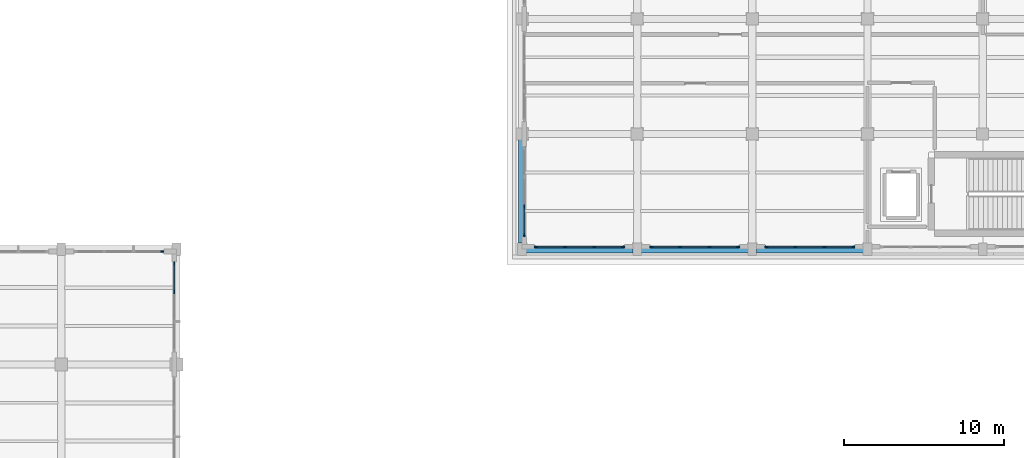
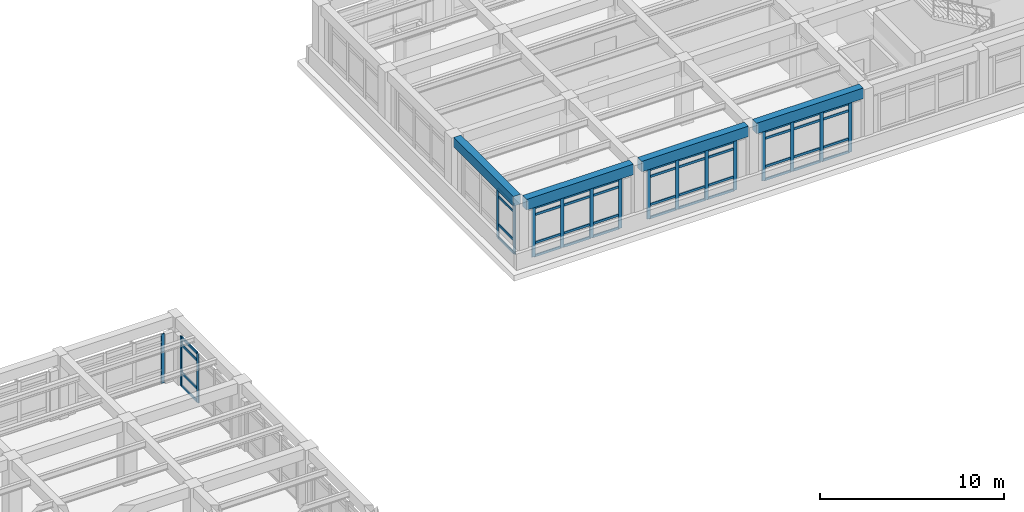
# One storey, part 22 of 67: 61 members, 4 beams, 6 elements without a shape of their own.
"""IFC4 building model written with IfcOpenShell, lengths in metres."""

from ifc_helpers import new_model, si_unit, direction, frame, origin, origin_2d, place, context, subcontext, project, spatial, rectangle, extrude, material, layer, layer_set, material_profile, profile_set, type_object, element, aggregate, save


model = new_model("IFC4")

# Units and contexts
model_context = context("Model", 3, precision=1e-05, world=origin(), true_north=direction((0.0, 1.0)))
body_context = subcontext(model_context, "Body", "Model", "MODEL_VIEW")
ifc_project = project(units=[si_unit("LENGTHUNIT", "METRE"), si_unit("AREAUNIT", "SQUARE_METRE"), si_unit("VOLUMEUNIT", "CUBIC_METRE"), si_unit("PLANEANGLEUNIT", "RADIAN"), si_unit("MASSUNIT", "GRAM", prefix="KILO")], contexts=[model_context])

# Site, building, storey
site_placement = place(None, origin())
site = spatial("IfcSite", under=ifc_project, at=site_placement, CompositionType="ELEMENT")
building_placement = place(site_placement, origin())
building = spatial("IfcBuilding", under=site, at=building_placement, Name="Solenvale Faculty of Natural Sciences", CompositionType="ELEMENT")
storey_placement = place(building_placement, frame((0.0, 0.0, 13.5)))
storey = spatial("IfcBuildingStorey", under=building, at=storey_placement, Name="L03", CompositionType="ELEMENT", Elevation=13.5)

# Beams
ifc_material_1 = material(Name="Concrete 40 MPa", Category="concrete")
ifc_material_profile_1 = material_profile(ifc_material_1, rectangle(XDim=0.449951171875, YDim=0.64990234375, at=origin_2d()), Name="RC-BM-450x650")
ifc_profile_set_1 = profile_set([ifc_material_profile_1], Name="Concrete 40 MPa")
beam_type_1 = type_object("IfcBeamType", Name="BM-RC-450x650", PredefinedType="BEAM", material=ifc_profile_set_1)
beam_placement = place(storey_placement, frame((79.199951171875, 93.97998046875, 3.89501953125), z_axis=(0.0, 1.0, 0.0), x_axis=(-1.0, 0.0, 0.0)))
element("IfcBeam", 1, at=beam_placement, inside=storey, type_object=beam_type_1, Name="L03 Y-Girder X79.2 (93.6..100.8)", PredefinedType="BEAM", context=body_context, shape_type="SweptSolid", body=[
    extrude(rectangle(XDim=0.449951171875, YDim=0.64990234375, at=origin_2d()), origin(), (0.0, 0.0, 1.0), 6.465087890625),
])
ifc_material_profile_2 = material_profile(ifc_material_1, rectangle(XDim=0.449951171875, YDim=0.699951171875, at=origin_2d()), Name="RC-BM-450x700")
ifc_profile_set_2 = profile_set([ifc_material_profile_2], Name="Concrete 40 MPa")
beam_type_2 = type_object("IfcBeamType", Name="BM-RC-450x700", PredefinedType="BEAM", material=ifc_profile_set_2)
for number, where, z_axis, x_axis, name in (
    (2, (79.455078125, 93.60009765625, 3.8701171875), (1.0, 0.0, 0.0), (0.0, 1.0, 0.0), "L03 X-Girder Y93.6 (79.2..86.4)"),
    (3, (86.655029296875, 93.60009765625, 3.8701171875), (1.0, 0.0, 0.0), (0.0, 1.0, 0.0), "L03 X-Girder Y93.6 (86.4..93.6)"),
    (4, (93.85498046875, 93.60009765625, 3.8701171875), (1.0, 0.0, 0.0), (0.0, 1.0, 0.0), "L03 X-Girder Y93.6 (93.6..100.8)"),
):
    element("IfcBeam", number, at=place(storey_placement, frame(where, z_axis=z_axis, x_axis=x_axis)), inside=storey, type_object=beam_type_2, Name=name, PredefinedType="BEAM", context=body_context, shape_type="SweptSolid", body=[
        extrude(rectangle(XDim=0.449951171875, YDim=0.699951171875, at=origin_2d()), origin(), (0.0, 0.0, 1.0), 6.68994140625),
    ])

# Curtain wall, members
ifc_material_2 = material(Name="Anodised bronze aluminium", Category="aluminium")
ifc_layer_1 = layer(ifc_material_2, 0.215087890625)
ifc_layer_set_1 = layer_set([ifc_layer_1], Name="Anodised bronze aluminium")
curtain_wall_type_1 = type_object("IfcCurtainWallType", Name="CW-ATR-UNIT", PredefinedType="USERDEFINED", material=ifc_layer_set_1)
curtain_wall_1_placement = place(storey_placement, origin())
curtain_wall_1 = element("IfcCurtainWall", 5, at=curtain_wall_1_placement, inside=storey, type_object=curtain_wall_type_1, Name="L03 Curtain Wall CW-L03-P1-E1-B8", ObjectType="UNITISED CURTAIN WALL", PredefinedType="USERDEFINED")
ifc_material_profile_3 = material_profile(ifc_material_2, rectangle(XDim=0.074951171875, YDim=0.2099609375, at=origin_2d()), Name="ALU-MUL-75x210")
ifc_profile_set_3 = profile_set([ifc_material_profile_3], Name="Anodised bronze aluminium")
member_type_1 = type_object("IfcMemberType", Name="CWM-ALU-75x210", PredefinedType="MULLION", material=ifc_profile_set_3)
member_1_placement = place(storey_placement, frame((57.45751953125, 90.916748046875, 0.0), z_axis=(0.0, 0.0, 1.0), x_axis=(-1.0, 0.0, 0.0)))
member_1 = element("IfcMember", 6, at=member_1_placement, type_object=member_type_1, Name="CW-01 mullion 3", PredefinedType="MULLION", context=body_context, shape_type="SweptSolid", body=[
    extrude(rectangle(XDim=0.074951171875, YDim=0.2099609375, at=origin_2d()), origin(), (0.0, 0.0, 1.0), 3.260009765625),
])
member_2_placement = place(storey_placement, frame((57.45751953125, 92.71240234375, 0.0), z_axis=(0.0, 0.0, 1.0), x_axis=(-1.0, 0.0, 0.0)))
member_2 = element("IfcMember", 7, at=member_2_placement, type_object=member_type_1, Name="CW-01 mullion 4", PredefinedType="MULLION", context=body_context, shape_type="SweptSolid", body=[
    extrude(rectangle(XDim=0.074951171875, YDim=0.2099609375, at=origin_2d()), origin(), (0.0, 0.0, 1.0), 3.260009765625),
])

# Curtain wall, member
curtain_wall_2_placement = place(storey_placement, origin())
curtain_wall_2 = element("IfcCurtainWall", 8, at=curtain_wall_2_placement, inside=storey, type_object=curtain_wall_type_1, Name="L03 Curtain Wall CW-L03-P1-E2-B1", ObjectType="UNITISED CURTAIN WALL", PredefinedType="USERDEFINED")
member_3_placement = place(storey_placement, frame((56.71240234375, 93.45751953125, 0.0), z_axis=(0.0, 0.0, 1.0), x_axis=(0.0, -1.0, 0.0)))
member_3 = element("IfcMember", 9, at=member_3_placement, type_object=member_type_1, Name="CW-01 mullion 1", PredefinedType="MULLION", context=body_context, shape_type="SweptSolid", body=[
    extrude(rectangle(XDim=0.074951171875, YDim=0.2099609375, at=origin_2d()), origin(), (0.0, 0.0, 1.0), 3.260009765625),
])
aggregate(curtain_wall_2, [member_3])

# Curtain wall, members
ifc_layer_2 = layer(ifc_material_2, 0.179931640625)
ifc_layer_set_2 = layer_set([ifc_layer_2], Name="Anodised bronze aluminium")
curtain_wall_type_2 = type_object("IfcCurtainWallType", Name="CW-TWR-MOD", PredefinedType="USERDEFINED", material=ifc_layer_set_2)
curtain_wall_3_placement = place(storey_placement, origin())
curtain_wall_3 = element("IfcCurtainWall", 10, at=curtain_wall_3_placement, inside=storey, type_object=curtain_wall_type_2, Name="L03 Curtain Wall CW-L03-P3-E5-B3", ObjectType="UNITISED CURTAIN WALL", PredefinedType="USERDEFINED")
member_4_placement = place(storey_placement, frame((79.342529296875, 96.283447265625, 0.0), z_axis=(0.0, 0.0, 1.0), x_axis=(1.0, 0.0, 0.0)))
member_4 = element("IfcMember", 11, at=member_4_placement, type_object=member_type_1, Name="CW-04 mullion 3", PredefinedType="MULLION", context=body_context, shape_type="SweptSolid", body=[
    extrude(rectangle(XDim=0.074951171875, YDim=0.2099609375, at=origin_2d()), origin(), (0.0, 0.0, 1.0), 3.260009765625),
])
member_5_placement = place(storey_placement, frame((79.342529296875, 94.487548828125, 0.0), z_axis=(0.0, 0.0, 1.0), x_axis=(1.0, 0.0, 0.0)))
member_5 = element("IfcMember", 12, at=member_5_placement, type_object=member_type_1, Name="CW-04 mullion 4", PredefinedType="MULLION", context=body_context, shape_type="SweptSolid", body=[
    extrude(rectangle(XDim=0.074951171875, YDim=0.2099609375, at=origin_2d()), origin(), (0.0, 0.0, 1.0), 3.260009765625),
])

curtain_wall_4_placement = place(storey_placement, origin())
curtain_wall_4 = element("IfcCurtainWall", 13, at=curtain_wall_4_placement, inside=storey, type_object=curtain_wall_type_2, Name="L03 Curtain Wall CW-L03-P3-E6-B1", ObjectType="UNITISED CURTAIN WALL", PredefinedType="USERDEFINED")
member_6_placement = place(storey_placement, frame((80.08740234375, 93.742431640625, 0.0), z_axis=(0.0, 0.0, 1.0), x_axis=(0.0, 1.0, 0.0)))
member_6 = element("IfcMember", 14, at=member_6_placement, type_object=member_type_1, Name="CW-04 mullion 1", PredefinedType="MULLION", context=body_context, shape_type="SweptSolid", body=[
    extrude(rectangle(XDim=0.074951171875, YDim=0.2099609375, at=origin_2d()), origin(), (0.0, 0.0, 1.0), 3.260009765625),
])
member_7_placement = place(storey_placement, frame((81.88330078125, 93.742431640625, 0.0), z_axis=(0.0, 0.0, 1.0), x_axis=(0.0, 1.0, 0.0)))
member_7 = element("IfcMember", 15, at=member_7_placement, type_object=member_type_1, Name="CW-04 mullion 2", PredefinedType="MULLION", context=body_context, shape_type="SweptSolid", body=[
    extrude(rectangle(XDim=0.074951171875, YDim=0.2099609375, at=origin_2d()), origin(), (0.0, 0.0, 1.0), 3.260009765625),
])
member_8_placement = place(storey_placement, frame((83.716552734375, 93.742431640625, 0.0), z_axis=(0.0, 0.0, 1.0), x_axis=(0.0, 1.0, 0.0)))
member_8 = element("IfcMember", 16, at=member_8_placement, type_object=member_type_1, Name="CW-04 mullion 3", PredefinedType="MULLION", context=body_context, shape_type="SweptSolid", body=[
    extrude(rectangle(XDim=0.074951171875, YDim=0.2099609375, at=origin_2d()), origin(), (0.0, 0.0, 1.0), 3.260009765625),
])
member_9_placement = place(storey_placement, frame((85.512451171875, 93.742431640625, 0.0), z_axis=(0.0, 0.0, 1.0), x_axis=(0.0, 1.0, 0.0)))
member_9 = element("IfcMember", 17, at=member_9_placement, type_object=member_type_1, Name="CW-04 mullion 4", PredefinedType="MULLION", context=body_context, shape_type="SweptSolid", body=[
    extrude(rectangle(XDim=0.074951171875, YDim=0.2099609375, at=origin_2d()), origin(), (0.0, 0.0, 1.0), 3.260009765625),
])

curtain_wall_5_placement = place(storey_placement, origin())
curtain_wall_5 = element("IfcCurtainWall", 18, at=curtain_wall_5_placement, inside=storey, type_object=curtain_wall_type_2, Name="L03 Curtain Wall CW-L03-P3-E6-B2", ObjectType="UNITISED CURTAIN WALL", PredefinedType="USERDEFINED")
member_10_placement = place(storey_placement, frame((87.28759765625, 93.742431640625, 0.0), z_axis=(0.0, 0.0, 1.0), x_axis=(0.0, 1.0, 0.0)))
member_10 = element("IfcMember", 19, at=member_10_placement, type_object=member_type_1, Name="CW-04 mullion 1", PredefinedType="MULLION", context=body_context, shape_type="SweptSolid", body=[
    extrude(rectangle(XDim=0.074951171875, YDim=0.2099609375, at=origin_2d()), origin(), (0.0, 0.0, 1.0), 3.260009765625),
])
member_11_placement = place(storey_placement, frame((89.083251953125, 93.742431640625, 0.0), z_axis=(0.0, 0.0, 1.0), x_axis=(0.0, 1.0, 0.0)))
member_11 = element("IfcMember", 20, at=member_11_placement, type_object=member_type_1, Name="CW-04 mullion 2", PredefinedType="MULLION", context=body_context, shape_type="SweptSolid", body=[
    extrude(rectangle(XDim=0.074951171875, YDim=0.2099609375, at=origin_2d()), origin(), (0.0, 0.0, 1.0), 3.260009765625),
])
member_12_placement = place(storey_placement, frame((90.916748046875, 93.742431640625, 0.0), z_axis=(0.0, 0.0, 1.0), x_axis=(0.0, 1.0, 0.0)))
member_12 = element("IfcMember", 21, at=member_12_placement, type_object=member_type_1, Name="CW-04 mullion 3", PredefinedType="MULLION", context=body_context, shape_type="SweptSolid", body=[
    extrude(rectangle(XDim=0.074951171875, YDim=0.2099609375, at=origin_2d()), origin(), (0.0, 0.0, 1.0), 3.260009765625),
])
member_13_placement = place(storey_placement, frame((92.71240234375, 93.742431640625, 0.0), z_axis=(0.0, 0.0, 1.0), x_axis=(0.0, 1.0, 0.0)))
member_13 = element("IfcMember", 22, at=member_13_placement, type_object=member_type_1, Name="CW-04 mullion 4", PredefinedType="MULLION", context=body_context, shape_type="SweptSolid", body=[
    extrude(rectangle(XDim=0.074951171875, YDim=0.2099609375, at=origin_2d()), origin(), (0.0, 0.0, 1.0), 3.260009765625),
])

curtain_wall_6_placement = place(storey_placement, origin())
curtain_wall_6 = element("IfcCurtainWall", 23, at=curtain_wall_6_placement, inside=storey, type_object=curtain_wall_type_2, Name="L03 Curtain Wall CW-L03-P3-E6-B3", ObjectType="UNITISED CURTAIN WALL", PredefinedType="USERDEFINED")
member_14_placement = place(storey_placement, frame((94.487548828125, 93.742431640625, 0.0), z_axis=(0.0, 0.0, 1.0), x_axis=(0.0, 1.0, 0.0)))
member_14 = element("IfcMember", 24, at=member_14_placement, type_object=member_type_1, Name="CW-04 mullion 1", PredefinedType="MULLION", context=body_context, shape_type="SweptSolid", body=[
    extrude(rectangle(XDim=0.074951171875, YDim=0.2099609375, at=origin_2d()), origin(), (0.0, 0.0, 1.0), 3.260009765625),
])
member_15_placement = place(storey_placement, frame((96.283447265625, 93.742431640625, 0.0), z_axis=(0.0, 0.0, 1.0), x_axis=(0.0, 1.0, 0.0)))
member_15 = element("IfcMember", 25, at=member_15_placement, type_object=member_type_1, Name="CW-04 mullion 2", PredefinedType="MULLION", context=body_context, shape_type="SweptSolid", body=[
    extrude(rectangle(XDim=0.074951171875, YDim=0.2099609375, at=origin_2d()), origin(), (0.0, 0.0, 1.0), 3.260009765625),
])
member_16_placement = place(storey_placement, frame((98.11669921875, 93.742431640625, 0.0), z_axis=(0.0, 0.0, 1.0), x_axis=(0.0, 1.0, 0.0)))
member_16 = element("IfcMember", 26, at=member_16_placement, type_object=member_type_1, Name="CW-04 mullion 3", PredefinedType="MULLION", context=body_context, shape_type="SweptSolid", body=[
    extrude(rectangle(XDim=0.074951171875, YDim=0.2099609375, at=origin_2d()), origin(), (0.0, 0.0, 1.0), 3.260009765625),
])
member_17_placement = place(storey_placement, frame((99.91259765625, 93.742431640625, 0.0), z_axis=(0.0, 0.0, 1.0), x_axis=(0.0, 1.0, 0.0)))
member_17 = element("IfcMember", 27, at=member_17_placement, type_object=member_type_1, Name="CW-04 mullion 4", PredefinedType="MULLION", context=body_context, shape_type="SweptSolid", body=[
    extrude(rectangle(XDim=0.074951171875, YDim=0.2099609375, at=origin_2d()), origin(), (0.0, 0.0, 1.0), 3.260009765625),
])

# Member
ifc_material_profile_4 = material_profile(ifc_material_2, rectangle(XDim=0.074951171875, YDim=0.155029296875, at=origin_2d()), Name="ALU-TRN-75x155")
ifc_profile_set_4 = profile_set([ifc_material_profile_4], Name="Anodised bronze aluminium")
member_type_2 = type_object("IfcMemberType", Name="CWT-ALU-75x155", PredefinedType="USERDEFINED", material=ifc_profile_set_4)
member_18_placement = place(storey_placement, frame((57.45751953125, 90.9541015625, 0.03759765625), z_axis=(0.0, 1.0, 0.0), x_axis=(-1.0, 0.0, 0.0)))
member_18 = element("IfcMember", 28, at=member_18_placement, type_object=member_type_2, Name="CW-01 transom 3.1", ObjectType="TRANSOM", PredefinedType="USERDEFINED", context=body_context, shape_type="SweptSolid", body=[
    extrude(rectangle(XDim=0.074951171875, YDim=0.155029296875, at=origin_2d()), origin(), (0.0, 0.0, 1.0), 1.720947265625),
])

member_19_placement = place(storey_placement, frame((57.45751953125, 90.9541015625, 0.89990234375), z_axis=(0.0, 1.0, 0.0), x_axis=(-1.0, 0.0, 0.0)))
member_19 = element("IfcMember", 29, at=member_19_placement, type_object=member_type_2, Name="CW-01 transom 3.2", ObjectType="TRANSOM", PredefinedType="USERDEFINED", context=body_context, shape_type="SweptSolid", body=[
    extrude(rectangle(XDim=0.074951171875, YDim=0.155029296875, at=origin_2d()), origin(), (0.0, 0.0, 1.0), 1.720947265625),
])

member_20_placement = place(storey_placement, frame((57.45751953125, 90.9541015625, 2.760009765625), z_axis=(0.0, 1.0, 0.0), x_axis=(-1.0, 0.0, 0.0)))
member_20 = element("IfcMember", 30, at=member_20_placement, type_object=member_type_2, Name="CW-01 transom 3.3", ObjectType="TRANSOM", PredefinedType="USERDEFINED", context=body_context, shape_type="SweptSolid", body=[
    extrude(rectangle(XDim=0.074951171875, YDim=0.155029296875, at=origin_2d()), origin(), (0.0, 0.0, 1.0), 1.720947265625),
])

member_21_placement = place(storey_placement, frame((57.45751953125, 90.9541015625, 3.222412109375), z_axis=(0.0, 1.0, 0.0), x_axis=(-1.0, 0.0, 0.0)))
member_21 = element("IfcMember", 31, at=member_21_placement, type_object=member_type_2, Name="CW-01 transom 3.4", ObjectType="TRANSOM", PredefinedType="USERDEFINED", context=body_context, shape_type="SweptSolid", body=[
    extrude(rectangle(XDim=0.074951171875, YDim=0.155029296875, at=origin_2d()), origin(), (0.0, 0.0, 1.0), 1.720947265625),
])

aggregate(curtain_wall_1, [member_1, member_2, member_18, member_19, member_20, member_21])

member_22_placement = place(storey_placement, frame((79.342529296875, 96.245849609375, 0.03759765625), z_axis=(0.0, -1.0, 0.0), x_axis=(1.0, 0.0, 0.0)))
member_22 = element("IfcMember", 32, at=member_22_placement, type_object=member_type_2, Name="CW-04 transom 3.1", ObjectType="TRANSOM", PredefinedType="USERDEFINED", context=body_context, shape_type="SweptSolid", body=[
    extrude(rectangle(XDim=0.074951171875, YDim=0.155029296875, at=origin_2d()), origin(), (0.0, 0.0, 1.0), 1.720947265625),
])

member_23_placement = place(storey_placement, frame((79.342529296875, 96.245849609375, 0.89990234375), z_axis=(0.0, -1.0, 0.0), x_axis=(1.0, 0.0, 0.0)))
member_23 = element("IfcMember", 33, at=member_23_placement, type_object=member_type_2, Name="CW-04 transom 3.2", ObjectType="TRANSOM", PredefinedType="USERDEFINED", context=body_context, shape_type="SweptSolid", body=[
    extrude(rectangle(XDim=0.074951171875, YDim=0.155029296875, at=origin_2d()), origin(), (0.0, 0.0, 1.0), 1.720947265625),
])

member_24_placement = place(storey_placement, frame((79.342529296875, 96.245849609375, 2.760009765625), z_axis=(0.0, -1.0, 0.0), x_axis=(1.0, 0.0, 0.0)))
member_24 = element("IfcMember", 34, at=member_24_placement, type_object=member_type_2, Name="CW-04 transom 3.3", ObjectType="TRANSOM", PredefinedType="USERDEFINED", context=body_context, shape_type="SweptSolid", body=[
    extrude(rectangle(XDim=0.074951171875, YDim=0.155029296875, at=origin_2d()), origin(), (0.0, 0.0, 1.0), 1.720947265625),
])

member_25_placement = place(storey_placement, frame((79.342529296875, 96.245849609375, 3.222412109375), z_axis=(0.0, -1.0, 0.0), x_axis=(1.0, 0.0, 0.0)))
member_25 = element("IfcMember", 35, at=member_25_placement, type_object=member_type_2, Name="CW-04 transom 3.4", ObjectType="TRANSOM", PredefinedType="USERDEFINED", context=body_context, shape_type="SweptSolid", body=[
    extrude(rectangle(XDim=0.074951171875, YDim=0.155029296875, at=origin_2d()), origin(), (0.0, 0.0, 1.0), 1.720947265625),
])

aggregate(curtain_wall_3, [member_4, member_5, member_22, member_23, member_24, member_25])

member_26_placement = place(storey_placement, frame((80.125, 93.742431640625, 0.03759765625), z_axis=(1.0, 0.0, 0.0), x_axis=(0.0, 1.0, 0.0)))
member_26 = element("IfcMember", 36, at=member_26_placement, type_object=member_type_2, Name="CW-04 transom 1.1", ObjectType="TRANSOM", PredefinedType="USERDEFINED", context=body_context, shape_type="SweptSolid", body=[
    extrude(rectangle(XDim=0.074951171875, YDim=0.155029296875, at=origin_2d()), origin(), (0.0, 0.0, 1.0), 1.720947265625),
])

member_27_placement = place(storey_placement, frame((80.125, 93.742431640625, 0.89990234375), z_axis=(1.0, 0.0, 0.0), x_axis=(0.0, 1.0, 0.0)))
member_27 = element("IfcMember", 37, at=member_27_placement, type_object=member_type_2, Name="CW-04 transom 1.2", ObjectType="TRANSOM", PredefinedType="USERDEFINED", context=body_context, shape_type="SweptSolid", body=[
    extrude(rectangle(XDim=0.074951171875, YDim=0.155029296875, at=origin_2d()), origin(), (0.0, 0.0, 1.0), 1.720947265625),
])

member_28_placement = place(storey_placement, frame((80.125, 93.742431640625, 2.760009765625), z_axis=(1.0, 0.0, 0.0), x_axis=(0.0, 1.0, 0.0)))
member_28 = element("IfcMember", 38, at=member_28_placement, type_object=member_type_2, Name="CW-04 transom 1.3", ObjectType="TRANSOM", PredefinedType="USERDEFINED", context=body_context, shape_type="SweptSolid", body=[
    extrude(rectangle(XDim=0.074951171875, YDim=0.155029296875, at=origin_2d()), origin(), (0.0, 0.0, 1.0), 1.720947265625),
])

member_29_placement = place(storey_placement, frame((80.125, 93.742431640625, 3.222412109375), z_axis=(1.0, 0.0, 0.0), x_axis=(0.0, 1.0, 0.0)))
member_29 = element("IfcMember", 39, at=member_29_placement, type_object=member_type_2, Name="CW-04 transom 1.4", ObjectType="TRANSOM", PredefinedType="USERDEFINED", context=body_context, shape_type="SweptSolid", body=[
    extrude(rectangle(XDim=0.074951171875, YDim=0.155029296875, at=origin_2d()), origin(), (0.0, 0.0, 1.0), 1.720947265625),
])

member_30_placement = place(storey_placement, frame((81.9208984375, 93.742431640625, 0.03759765625), z_axis=(1.0, 0.0, 0.0), x_axis=(0.0, 1.0, 0.0)))
member_30 = element("IfcMember", 40, at=member_30_placement, type_object=member_type_2, Name="CW-04 transom 2.1", ObjectType="TRANSOM", PredefinedType="USERDEFINED", context=body_context, shape_type="SweptSolid", body=[
    extrude(rectangle(XDim=0.074951171875, YDim=0.155029296875, at=origin_2d()), origin(), (0.0, 0.0, 1.0), 1.75830078125),
])

member_31_placement = place(storey_placement, frame((81.9208984375, 93.742431640625, 0.89990234375), z_axis=(1.0, 0.0, 0.0), x_axis=(0.0, 1.0, 0.0)))
member_31 = element("IfcMember", 41, at=member_31_placement, type_object=member_type_2, Name="CW-04 transom 2.2", ObjectType="TRANSOM", PredefinedType="USERDEFINED", context=body_context, shape_type="SweptSolid", body=[
    extrude(rectangle(XDim=0.074951171875, YDim=0.155029296875, at=origin_2d()), origin(), (0.0, 0.0, 1.0), 1.75830078125),
])

member_32_placement = place(storey_placement, frame((81.9208984375, 93.742431640625, 2.760009765625), z_axis=(1.0, 0.0, 0.0), x_axis=(0.0, 1.0, 0.0)))
member_32 = element("IfcMember", 42, at=member_32_placement, type_object=member_type_2, Name="CW-04 transom 2.3", ObjectType="TRANSOM", PredefinedType="USERDEFINED", context=body_context, shape_type="SweptSolid", body=[
    extrude(rectangle(XDim=0.074951171875, YDim=0.155029296875, at=origin_2d()), origin(), (0.0, 0.0, 1.0), 1.75830078125),
])

member_33_placement = place(storey_placement, frame((81.9208984375, 93.742431640625, 3.222412109375), z_axis=(1.0, 0.0, 0.0), x_axis=(0.0, 1.0, 0.0)))
member_33 = element("IfcMember", 43, at=member_33_placement, type_object=member_type_2, Name="CW-04 transom 2.4", ObjectType="TRANSOM", PredefinedType="USERDEFINED", context=body_context, shape_type="SweptSolid", body=[
    extrude(rectangle(XDim=0.074951171875, YDim=0.155029296875, at=origin_2d()), origin(), (0.0, 0.0, 1.0), 1.75830078125),
])

member_34_placement = place(storey_placement, frame((83.754150390625, 93.742431640625, 0.03759765625), z_axis=(1.0, 0.0, 0.0), x_axis=(0.0, 1.0, 0.0)))
member_34 = element("IfcMember", 44, at=member_34_placement, type_object=member_type_2, Name="CW-04 transom 3.1", ObjectType="TRANSOM", PredefinedType="USERDEFINED", context=body_context, shape_type="SweptSolid", body=[
    extrude(rectangle(XDim=0.074951171875, YDim=0.155029296875, at=origin_2d()), origin(), (0.0, 0.0, 1.0), 1.720947265625),
])

member_35_placement = place(storey_placement, frame((83.754150390625, 93.742431640625, 0.89990234375), z_axis=(1.0, 0.0, 0.0), x_axis=(0.0, 1.0, 0.0)))
member_35 = element("IfcMember", 45, at=member_35_placement, type_object=member_type_2, Name="CW-04 transom 3.2", ObjectType="TRANSOM", PredefinedType="USERDEFINED", context=body_context, shape_type="SweptSolid", body=[
    extrude(rectangle(XDim=0.074951171875, YDim=0.155029296875, at=origin_2d()), origin(), (0.0, 0.0, 1.0), 1.720947265625),
])

member_36_placement = place(storey_placement, frame((83.754150390625, 93.742431640625, 2.760009765625), z_axis=(1.0, 0.0, 0.0), x_axis=(0.0, 1.0, 0.0)))
member_36 = element("IfcMember", 46, at=member_36_placement, type_object=member_type_2, Name="CW-04 transom 3.3", ObjectType="TRANSOM", PredefinedType="USERDEFINED", context=body_context, shape_type="SweptSolid", body=[
    extrude(rectangle(XDim=0.074951171875, YDim=0.155029296875, at=origin_2d()), origin(), (0.0, 0.0, 1.0), 1.720947265625),
])

member_37_placement = place(storey_placement, frame((83.754150390625, 93.742431640625, 3.222412109375), z_axis=(1.0, 0.0, 0.0), x_axis=(0.0, 1.0, 0.0)))
member_37 = element("IfcMember", 47, at=member_37_placement, type_object=member_type_2, Name="CW-04 transom 3.4", ObjectType="TRANSOM", PredefinedType="USERDEFINED", context=body_context, shape_type="SweptSolid", body=[
    extrude(rectangle(XDim=0.074951171875, YDim=0.155029296875, at=origin_2d()), origin(), (0.0, 0.0, 1.0), 1.720947265625),
])

aggregate(curtain_wall_4, [member_6, member_7, member_8, member_9, member_26, member_27, member_28, member_29, member_30, member_31, member_32, member_33, member_34, member_35, member_36, member_37])

member_38_placement = place(storey_placement, frame((87.324951171875, 93.742431640625, 0.03759765625), z_axis=(1.0, 0.0, 0.0), x_axis=(0.0, 1.0, 0.0)))
member_38 = element("IfcMember", 48, at=member_38_placement, type_object=member_type_2, Name="CW-04 transom 1.1", ObjectType="TRANSOM", PredefinedType="USERDEFINED", context=body_context, shape_type="SweptSolid", body=[
    extrude(rectangle(XDim=0.074951171875, YDim=0.155029296875, at=origin_2d()), origin(), (0.0, 0.0, 1.0), 1.720947265625),
])

member_39_placement = place(storey_placement, frame((87.324951171875, 93.742431640625, 0.89990234375), z_axis=(1.0, 0.0, 0.0), x_axis=(0.0, 1.0, 0.0)))
member_39 = element("IfcMember", 49, at=member_39_placement, type_object=member_type_2, Name="CW-04 transom 1.2", ObjectType="TRANSOM", PredefinedType="USERDEFINED", context=body_context, shape_type="SweptSolid", body=[
    extrude(rectangle(XDim=0.074951171875, YDim=0.155029296875, at=origin_2d()), origin(), (0.0, 0.0, 1.0), 1.720947265625),
])

member_40_placement = place(storey_placement, frame((87.324951171875, 93.742431640625, 2.760009765625), z_axis=(1.0, 0.0, 0.0), x_axis=(0.0, 1.0, 0.0)))
member_40 = element("IfcMember", 50, at=member_40_placement, type_object=member_type_2, Name="CW-04 transom 1.3", ObjectType="TRANSOM", PredefinedType="USERDEFINED", context=body_context, shape_type="SweptSolid", body=[
    extrude(rectangle(XDim=0.074951171875, YDim=0.155029296875, at=origin_2d()), origin(), (0.0, 0.0, 1.0), 1.720947265625),
])

member_41_placement = place(storey_placement, frame((87.324951171875, 93.742431640625, 3.222412109375), z_axis=(1.0, 0.0, 0.0), x_axis=(0.0, 1.0, 0.0)))
member_41 = element("IfcMember", 51, at=member_41_placement, type_object=member_type_2, Name="CW-04 transom 1.4", ObjectType="TRANSOM", PredefinedType="USERDEFINED", context=body_context, shape_type="SweptSolid", body=[
    extrude(rectangle(XDim=0.074951171875, YDim=0.155029296875, at=origin_2d()), origin(), (0.0, 0.0, 1.0), 1.720947265625),
])

member_42_placement = place(storey_placement, frame((89.120849609375, 93.742431640625, 0.03759765625), z_axis=(1.0, 0.0, 0.0), x_axis=(0.0, 1.0, 0.0)))
member_42 = element("IfcMember", 52, at=member_42_placement, type_object=member_type_2, Name="CW-04 transom 2.1", ObjectType="TRANSOM", PredefinedType="USERDEFINED", context=body_context, shape_type="SweptSolid", body=[
    extrude(rectangle(XDim=0.074951171875, YDim=0.155029296875, at=origin_2d()), origin(), (0.0, 0.0, 1.0), 1.75830078125),
])

member_43_placement = place(storey_placement, frame((89.120849609375, 93.742431640625, 0.89990234375), z_axis=(1.0, 0.0, 0.0), x_axis=(0.0, 1.0, 0.0)))
member_43 = element("IfcMember", 53, at=member_43_placement, type_object=member_type_2, Name="CW-04 transom 2.2", ObjectType="TRANSOM", PredefinedType="USERDEFINED", context=body_context, shape_type="SweptSolid", body=[
    extrude(rectangle(XDim=0.074951171875, YDim=0.155029296875, at=origin_2d()), origin(), (0.0, 0.0, 1.0), 1.75830078125),
])

member_44_placement = place(storey_placement, frame((89.120849609375, 93.742431640625, 2.760009765625), z_axis=(1.0, 0.0, 0.0), x_axis=(0.0, 1.0, 0.0)))
member_44 = element("IfcMember", 54, at=member_44_placement, type_object=member_type_2, Name="CW-04 transom 2.3", ObjectType="TRANSOM", PredefinedType="USERDEFINED", context=body_context, shape_type="SweptSolid", body=[
    extrude(rectangle(XDim=0.074951171875, YDim=0.155029296875, at=origin_2d()), origin(), (0.0, 0.0, 1.0), 1.75830078125),
])

member_45_placement = place(storey_placement, frame((89.120849609375, 93.742431640625, 3.222412109375), z_axis=(1.0, 0.0, 0.0), x_axis=(0.0, 1.0, 0.0)))
member_45 = element("IfcMember", 55, at=member_45_placement, type_object=member_type_2, Name="CW-04 transom 2.4", ObjectType="TRANSOM", PredefinedType="USERDEFINED", context=body_context, shape_type="SweptSolid", body=[
    extrude(rectangle(XDim=0.074951171875, YDim=0.155029296875, at=origin_2d()), origin(), (0.0, 0.0, 1.0), 1.75830078125),
])

member_46_placement = place(storey_placement, frame((90.9541015625, 93.742431640625, 0.03759765625), z_axis=(1.0, 0.0, 0.0), x_axis=(0.0, 1.0, 0.0)))
member_46 = element("IfcMember", 56, at=member_46_placement, type_object=member_type_2, Name="CW-04 transom 3.1", ObjectType="TRANSOM", PredefinedType="USERDEFINED", context=body_context, shape_type="SweptSolid", body=[
    extrude(rectangle(XDim=0.074951171875, YDim=0.155029296875, at=origin_2d()), origin(), (0.0, 0.0, 1.0), 1.720947265625),
])

member_47_placement = place(storey_placement, frame((90.9541015625, 93.742431640625, 0.89990234375), z_axis=(1.0, 0.0, 0.0), x_axis=(0.0, 1.0, 0.0)))
member_47 = element("IfcMember", 57, at=member_47_placement, type_object=member_type_2, Name="CW-04 transom 3.2", ObjectType="TRANSOM", PredefinedType="USERDEFINED", context=body_context, shape_type="SweptSolid", body=[
    extrude(rectangle(XDim=0.074951171875, YDim=0.155029296875, at=origin_2d()), origin(), (0.0, 0.0, 1.0), 1.720947265625),
])

member_48_placement = place(storey_placement, frame((90.9541015625, 93.742431640625, 2.760009765625), z_axis=(1.0, 0.0, 0.0), x_axis=(0.0, 1.0, 0.0)))
member_48 = element("IfcMember", 58, at=member_48_placement, type_object=member_type_2, Name="CW-04 transom 3.3", ObjectType="TRANSOM", PredefinedType="USERDEFINED", context=body_context, shape_type="SweptSolid", body=[
    extrude(rectangle(XDim=0.074951171875, YDim=0.155029296875, at=origin_2d()), origin(), (0.0, 0.0, 1.0), 1.720947265625),
])

member_49_placement = place(storey_placement, frame((90.9541015625, 93.742431640625, 3.222412109375), z_axis=(1.0, 0.0, 0.0), x_axis=(0.0, 1.0, 0.0)))
member_49 = element("IfcMember", 59, at=member_49_placement, type_object=member_type_2, Name="CW-04 transom 3.4", ObjectType="TRANSOM", PredefinedType="USERDEFINED", context=body_context, shape_type="SweptSolid", body=[
    extrude(rectangle(XDim=0.074951171875, YDim=0.155029296875, at=origin_2d()), origin(), (0.0, 0.0, 1.0), 1.720947265625),
])

aggregate(curtain_wall_5, [member_10, member_11, member_12, member_13, member_38, member_39, member_40, member_41, member_42, member_43, member_44, member_45, member_46, member_47, member_48, member_49])

member_50_placement = place(storey_placement, frame((94.52490234375, 93.742431640625, 0.03759765625), z_axis=(1.0, 0.0, 0.0), x_axis=(0.0, 1.0, 0.0)))
member_50 = element("IfcMember", 60, at=member_50_placement, type_object=member_type_2, Name="CW-04 transom 1.1", ObjectType="TRANSOM", PredefinedType="USERDEFINED", context=body_context, shape_type="SweptSolid", body=[
    extrude(rectangle(XDim=0.074951171875, YDim=0.155029296875, at=origin_2d()), origin(), (0.0, 0.0, 1.0), 1.720947265625),
])

member_51_placement = place(storey_placement, frame((94.52490234375, 93.742431640625, 0.89990234375), z_axis=(1.0, 0.0, 0.0), x_axis=(0.0, 1.0, 0.0)))
member_51 = element("IfcMember", 61, at=member_51_placement, type_object=member_type_2, Name="CW-04 transom 1.2", ObjectType="TRANSOM", PredefinedType="USERDEFINED", context=body_context, shape_type="SweptSolid", body=[
    extrude(rectangle(XDim=0.074951171875, YDim=0.155029296875, at=origin_2d()), origin(), (0.0, 0.0, 1.0), 1.720947265625),
])

member_52_placement = place(storey_placement, frame((94.52490234375, 93.742431640625, 2.760009765625), z_axis=(1.0, 0.0, 0.0), x_axis=(0.0, 1.0, 0.0)))
member_52 = element("IfcMember", 62, at=member_52_placement, type_object=member_type_2, Name="CW-04 transom 1.3", ObjectType="TRANSOM", PredefinedType="USERDEFINED", context=body_context, shape_type="SweptSolid", body=[
    extrude(rectangle(XDim=0.074951171875, YDim=0.155029296875, at=origin_2d()), origin(), (0.0, 0.0, 1.0), 1.720947265625),
])

member_53_placement = place(storey_placement, frame((94.52490234375, 93.742431640625, 3.222412109375), z_axis=(1.0, 0.0, 0.0), x_axis=(0.0, 1.0, 0.0)))
member_53 = element("IfcMember", 63, at=member_53_placement, type_object=member_type_2, Name="CW-04 transom 1.4", ObjectType="TRANSOM", PredefinedType="USERDEFINED", context=body_context, shape_type="SweptSolid", body=[
    extrude(rectangle(XDim=0.074951171875, YDim=0.155029296875, at=origin_2d()), origin(), (0.0, 0.0, 1.0), 1.720947265625),
])

member_54_placement = place(storey_placement, frame((96.32080078125, 93.742431640625, 0.03759765625), z_axis=(1.0, 0.0, 0.0), x_axis=(0.0, 1.0, 0.0)))
member_54 = element("IfcMember", 64, at=member_54_placement, type_object=member_type_2, Name="CW-04 transom 2.1", ObjectType="TRANSOM", PredefinedType="USERDEFINED", context=body_context, shape_type="SweptSolid", body=[
    extrude(rectangle(XDim=0.074951171875, YDim=0.155029296875, at=origin_2d()), origin(), (0.0, 0.0, 1.0), 1.75830078125),
])

member_55_placement = place(storey_placement, frame((96.32080078125, 93.742431640625, 0.89990234375), z_axis=(1.0, 0.0, 0.0), x_axis=(0.0, 1.0, 0.0)))
member_55 = element("IfcMember", 65, at=member_55_placement, type_object=member_type_2, Name="CW-04 transom 2.2", ObjectType="TRANSOM", PredefinedType="USERDEFINED", context=body_context, shape_type="SweptSolid", body=[
    extrude(rectangle(XDim=0.074951171875, YDim=0.155029296875, at=origin_2d()), origin(), (0.0, 0.0, 1.0), 1.75830078125),
])

member_56_placement = place(storey_placement, frame((96.32080078125, 93.742431640625, 2.760009765625), z_axis=(1.0, 0.0, 0.0), x_axis=(0.0, 1.0, 0.0)))
member_56 = element("IfcMember", 66, at=member_56_placement, type_object=member_type_2, Name="CW-04 transom 2.3", ObjectType="TRANSOM", PredefinedType="USERDEFINED", context=body_context, shape_type="SweptSolid", body=[
    extrude(rectangle(XDim=0.074951171875, YDim=0.155029296875, at=origin_2d()), origin(), (0.0, 0.0, 1.0), 1.75830078125),
])

member_57_placement = place(storey_placement, frame((96.32080078125, 93.742431640625, 3.222412109375), z_axis=(1.0, 0.0, 0.0), x_axis=(0.0, 1.0, 0.0)))
member_57 = element("IfcMember", 67, at=member_57_placement, type_object=member_type_2, Name="CW-04 transom 2.4", ObjectType="TRANSOM", PredefinedType="USERDEFINED", context=body_context, shape_type="SweptSolid", body=[
    extrude(rectangle(XDim=0.074951171875, YDim=0.155029296875, at=origin_2d()), origin(), (0.0, 0.0, 1.0), 1.75830078125),
])

member_58_placement = place(storey_placement, frame((98.154052734375, 93.742431640625, 0.03759765625), z_axis=(1.0, 0.0, 0.0), x_axis=(0.0, 1.0, 0.0)))
member_58 = element("IfcMember", 68, at=member_58_placement, type_object=member_type_2, Name="CW-04 transom 3.1", ObjectType="TRANSOM", PredefinedType="USERDEFINED", context=body_context, shape_type="SweptSolid", body=[
    extrude(rectangle(XDim=0.074951171875, YDim=0.155029296875, at=origin_2d()), origin(), (0.0, 0.0, 1.0), 1.720947265625),
])

member_59_placement = place(storey_placement, frame((98.154052734375, 93.742431640625, 0.89990234375), z_axis=(1.0, 0.0, 0.0), x_axis=(0.0, 1.0, 0.0)))
member_59 = element("IfcMember", 69, at=member_59_placement, type_object=member_type_2, Name="CW-04 transom 3.2", ObjectType="TRANSOM", PredefinedType="USERDEFINED", context=body_context, shape_type="SweptSolid", body=[
    extrude(rectangle(XDim=0.074951171875, YDim=0.155029296875, at=origin_2d()), origin(), (0.0, 0.0, 1.0), 1.720947265625),
])

member_60_placement = place(storey_placement, frame((98.154052734375, 93.742431640625, 2.760009765625), z_axis=(1.0, 0.0, 0.0), x_axis=(0.0, 1.0, 0.0)))
member_60 = element("IfcMember", 70, at=member_60_placement, type_object=member_type_2, Name="CW-04 transom 3.3", ObjectType="TRANSOM", PredefinedType="USERDEFINED", context=body_context, shape_type="SweptSolid", body=[
    extrude(rectangle(XDim=0.074951171875, YDim=0.155029296875, at=origin_2d()), origin(), (0.0, 0.0, 1.0), 1.720947265625),
])

member_61_placement = place(storey_placement, frame((98.154052734375, 93.742431640625, 3.222412109375), z_axis=(1.0, 0.0, 0.0), x_axis=(0.0, 1.0, 0.0)))
member_61 = element("IfcMember", 71, at=member_61_placement, type_object=member_type_2, Name="CW-04 transom 3.4", ObjectType="TRANSOM", PredefinedType="USERDEFINED", context=body_context, shape_type="SweptSolid", body=[
    extrude(rectangle(XDim=0.074951171875, YDim=0.155029296875, at=origin_2d()), origin(), (0.0, 0.0, 1.0), 1.720947265625),
])

aggregate(curtain_wall_6, [member_14, member_15, member_16, member_17, member_50, member_51, member_52, member_53, member_54, member_55, member_56, member_57, member_58, member_59, member_60, member_61])

save(model, "model.ifc")
